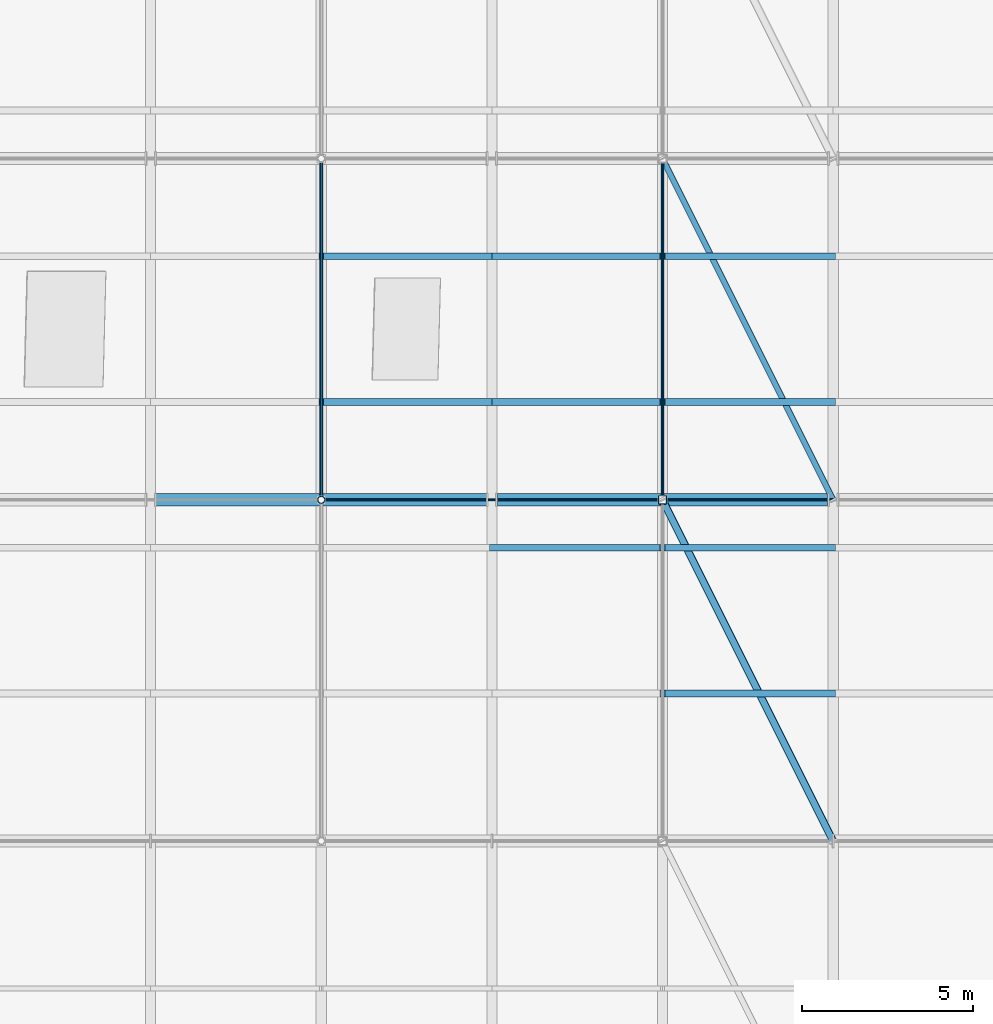
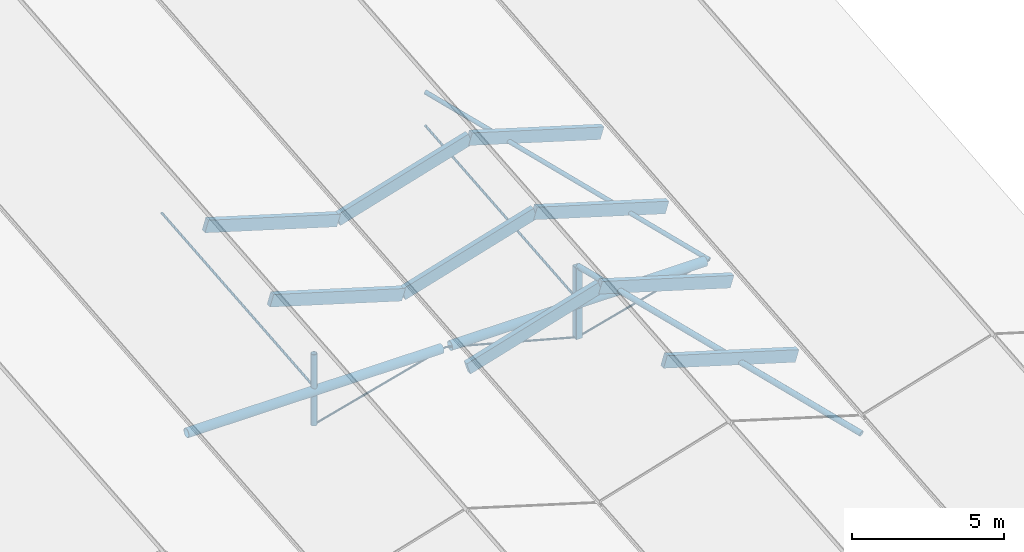
# One storey, part 34 of 90: 18 members, 2 beams.
"""IFC4 building model written with IfcOpenShell, lengths in metres."""

from ifc_helpers import new_model, si_unit, direction, frame, origin, origin_2d, place, context, subcontext, project, spatial, rectangle, hollow_rectangle, circle, hollow_circle, extrude, material, material_profile, profile_set, type_object, element, save


model = new_model("IFC4")

# Units and contexts
model_context = context("Model", 3, precision=1e-05, world=origin(), true_north=direction((0.0, 1.0)))
body_context = subcontext(model_context, "Body", "Model", "MODEL_VIEW")
ifc_project = project(units=[si_unit("LENGTHUNIT", "METRE"), si_unit("AREAUNIT", "SQUARE_METRE"), si_unit("VOLUMEUNIT", "CUBIC_METRE"), si_unit("PLANEANGLEUNIT", "RADIAN"), si_unit("MASSUNIT", "GRAM", prefix="KILO"), si_unit("THERMODYNAMICTEMPERATUREUNIT", "KELVIN"), si_unit("POWERUNIT", "WATT")], contexts=[model_context])

# Site, building, storey
site_placement = place(None, origin())
site = spatial("IfcSite", under=ifc_project, at=site_placement, CompositionType="ELEMENT")
building_placement = place(site_placement, origin())
building = spatial("IfcBuilding", under=site, at=building_placement, Name="Korenveer Ferry Terminal", CompositionType="ELEMENT")
storey_placement = place(building_placement, frame((0.0, 0.0, 22.199951171875)))
storey = spatial("IfcBuildingStorey", under=building, at=storey_placement, Name="RF", CompositionType="ELEMENT", Elevation=22.199951171875)

# Members
ifc_material_1 = material(Name="Steel S355", Category="steel")
ifc_material_profile_1 = material_profile(ifc_material_1, hollow_circle(Radius=0.084228515625, WallThickness=0.010009765625, at=origin_2d()), Name="CHS 168.3x10")
ifc_profile_set_1 = profile_set([ifc_material_profile_1], Name="Steel S355")
member_type_1 = type_object("IfcMemberType", Name="STR-BRC-CHS168", PredefinedType="BRACE", material=ifc_profile_set_1)
member_1_placement = place(storey_placement, frame((113.0, 60.0, -7.76953125), z_axis=(-0.437112017432, 0.874224034865, 0.21134195296), x_axis=(-0.894427191, -0.4472135955, 0.0)))
element("IfcMember", 1, at=member_1_placement, inside=storey, type_object=member_type_1, Name="Roof wind brace BRCRF-B5-Y60", PredefinedType="BRACE", context=body_context, shape_type="SweptSolid", body=[
    extrude(hollow_circle(Radius=0.084228515625, WallThickness=0.010009765625, at=origin_2d()), origin(), (0.0, 0.0, 1.0), 11.438720703125),
])
ifc_material_profile_2 = material_profile(ifc_material_1, hollow_circle(Radius=0.109619140625, WallThickness=0.012451171875, at=origin_2d()), Name="CHS 219.1x12.5")
ifc_profile_set_2 = profile_set([ifc_material_profile_2], Name="Steel S355")
member_type_2 = type_object("IfcMemberType", Name="STR-BRC-CHS219", PredefinedType="BRACE", material=ifc_profile_set_2)
member_2_placement = place(storey_placement, frame((113.0, 50.0, -8.677734375), z_axis=(-0.437110045644, 0.874220091289, 0.211362342872), x_axis=(-0.894427191, -0.4472135955, 0.0)))
element("IfcMember", 2, at=member_2_placement, inside=storey, type_object=member_type_2, Name="Roof wind brace BRCRF-B5-Y50", PredefinedType="BRACE", context=body_context, shape_type="SweptSolid", body=[
    extrude(hollow_circle(Radius=0.109619140625, WallThickness=0.012451171875, at=origin_2d()), origin(), (0.0, 0.0, 1.0), 11.438720703125),
])
ifc_material_2 = material(Name="High-strength steel S460", Category="steel")
ifc_material_profile_3 = material_profile(ifc_material_2, circle(Radius=0.0380859375, at=origin_2d()), Name="ROD D76")
ifc_profile_set_3 = profile_set([ifc_material_profile_3], Name="High-strength steel S460")
member_type_3 = type_object("IfcMemberType", Name="STR-CBL-D76", PredefinedType="USERDEFINED", material=ifc_profile_set_3)
for number, where, z_axis, x_axis, name in (
    (3, (103.0, 60.0, -7.76953125), (-0.965424337217, 0.0, -0.260683426993), (0.0, -1.0, 0.0), "Roof tension tie cable 38"),
    (4, (103.0, 60.0, -7.76953125), (0.965424337217, 0.0, -0.260683426993), (0.0, 1.0, 0.0), "Roof tension tie cable 39"),
    (5, (113.0, 60.0, -7.76953125), (-0.965424337217, 0.0, -0.260683426993), (0.0, -1.0, 0.0), "Roof tension tie cable 40"),
):
    element("IfcMember", number, at=place(storey_placement, frame(where, z_axis=z_axis, x_axis=x_axis)), inside=storey, type_object=member_type_3, Name=name, ObjectType="CABLE", PredefinedType="USERDEFINED", context=body_context, shape_type="SweptSolid", body=[
        extrude(circle(Radius=0.0380859375, at=origin_2d()), origin(), (0.0, 0.0, 1.0), 5.178955078125),
    ])
ifc_material_profile_4 = material_profile(ifc_material_2, circle(Radius=0.044921875, at=origin_2d()), Name="ROD D90")
ifc_profile_set_4 = profile_set([ifc_material_profile_4], Name="High-strength steel S460")
member_type_4 = type_object("IfcMemberType", Name="STR-CBL-D90", PredefinedType="USERDEFINED", material=ifc_profile_set_4)
for number, where, z_axis, x_axis, name in (
    (6, (98.0, 60.0, -7.60986328125), (0.0, 0.995903364261, 0.090423940715), (-1.0, 0.0, 0.0), "Longitudinal jaw-stay cable 120"),
    (7, (108.0, 60.0, -7.60986328125), (0.0, 0.995903364261, 0.090423940715), (-1.0, 0.0, 0.0), "Longitudinal jaw-stay cable 125"),
):
    element("IfcMember", number, at=place(storey_placement, frame(where, z_axis=z_axis, x_axis=x_axis)), inside=storey, type_object=member_type_4, Name=name, ObjectType="CABLE", PredefinedType="USERDEFINED", context=body_context, shape_type="SweptSolid", body=[
        extrude(circle(Radius=0.044921875, at=origin_2d()), origin(), (0.0, 0.0, 1.0), 10.041015625),
    ])
ifc_material_3 = material(Name="Glulam GL28h", Category="wood")
ifc_material_profile_5 = material_profile(ifc_material_3, rectangle(XDim=0.199951171875, YDim=0.47998046875, at=origin_2d()), Name="GL 200x480")
ifc_profile_set_5 = profile_set([ifc_material_profile_5], Name="Glulam GL28h")
member_type_5 = type_object("IfcMemberType", Name="STR-PUR-GL200", PredefinedType="PURLIN", material=ifc_profile_set_5)
for number, where, z_axis, x_axis, name in (
    (8, (98.0, 62.8642578125, -5.841552734375), (0.957310140112, 0.0, -0.289062788401), (0.0, 1.0, 0.0), "Folded roof glulam purlin 165"),
    (9, (98.0, 67.1357421875, -5.45361328125), (0.957310140112, 0.0, -0.289062788401), (0.0, 1.0, 0.0), "Folded roof glulam purlin 166"),
    (10, (103.0, 58.5927734375, -7.739013671875), (0.957310140112, 0.0, 0.289062788401), (0.0, 1.0, 0.0), "Folded roof glulam purlin 194"),
    (11, (103.0, 62.8642578125, -7.351318359375), (0.957310140112, 0.0, 0.289062788401), (0.0, 1.0, 0.0), "Folded roof glulam purlin 195"),
    (12, (103.0, 67.1357421875, -6.96337890625), (0.957310140112, 0.0, 0.289062788401), (0.0, 1.0, 0.0), "Folded roof glulam purlin 196"),
    (13, (108.0, 54.321533203125, -6.6171875), (0.957310140112, 0.0, -0.289062788401), (0.0, 1.0, 0.0), "Folded roof glulam purlin 199"),
    (14, (108.0, 58.5927734375, -6.229248046875), (0.957310140112, 0.0, -0.289062788401), (0.0, 1.0, 0.0), "Folded roof glulam purlin 200"),
    (15, (108.0, 62.8642578125, -5.841552734375), (0.957310140112, 0.0, -0.289062788401), (0.0, 1.0, 0.0), "Folded roof glulam purlin 201"),
    (16, (108.0, 67.1357421875, -5.45361328125), (0.957310140112, 0.0, -0.289062788401), (0.0, 1.0, 0.0), "Folded roof glulam purlin 202"),
):
    element("IfcMember", number, at=place(storey_placement, frame(where, z_axis=z_axis, x_axis=x_axis)), inside=storey, type_object=member_type_5, Name=name, PredefinedType="PURLIN", context=body_context, shape_type="SweptSolid", body=[
        extrude(rectangle(XDim=0.199951171875, YDim=0.47998046875, at=origin_2d()), origin(), (0.0, 0.0, 1.0), 5.222900390625),
    ])

# Beams
ifc_material_profile_6 = material_profile(ifc_material_1, hollow_circle(Radius=0.177734375, WallThickness=0.01611328125, at=origin_2d()), Name="CHS 355.6x16")
ifc_profile_set_6 = profile_set([ifc_material_profile_6], Name="Steel S355")
beam_type = type_object("IfcBeamType", Name="STR-RFG-CHS355", PredefinedType="USERDEFINED", material=ifc_profile_set_6)
for number, where, z_axis, x_axis, name in (
    (17, (93.159912109375, 60.0, -7.76953125), (1.0, 0.0, 0.0), (0.0, 1.0, 0.0), "Roof transverse tie girder 107"),
    (18, (103.159912109375, 60.0, -7.76953125), (1.0, 0.0, 0.0), (0.0, 1.0, 0.0), "Roof transverse tie girder 108"),
):
    element("IfcBeam", number, at=place(storey_placement, frame(where, z_axis=z_axis, x_axis=x_axis)), inside=storey, type_object=beam_type, Name=name, ObjectType="ROOF GIRDER", PredefinedType="USERDEFINED", context=body_context, shape_type="SweptSolid", body=[
        extrude(hollow_circle(Radius=0.177734375, WallThickness=0.01611328125, at=origin_2d()), origin(), (0.0, 0.0, 1.0), 9.68017578125),
    ])

# Members
ifc_material_profile_7 = material_profile(ifc_material_1, hollow_circle(Radius=0.109619140625, WallThickness=0.012451171875, at=origin_2d()), Name="CHS 219.1x12.5")
ifc_profile_set_7 = profile_set([ifc_material_profile_7], Name="Steel S355")
member_type_6 = type_object("IfcMemberType", Name="STR-STT-CHS219", PredefinedType="STRUT", material=ifc_profile_set_7)
member_3_placement = place(storey_placement, frame((98.0, 60.0, -9.11962890625), z_axis=(0.0, 0.0, 1.0), x_axis=(1.0, 0.0, 0.0)))
element("IfcMember", 19, at=member_3_placement, inside=storey, type_object=member_type_6, Name="Roof king-post strut STTKP-Y60-B4", PredefinedType="STRUT", context=body_context, shape_type="SweptSolid", body=[
    extrude(hollow_circle(Radius=0.109619140625, WallThickness=0.012451171875, at=origin_2d()), origin(), (0.0, 0.0, 1.0), 2.859619140625),
])
ifc_material_profile_8 = material_profile(ifc_material_1, hollow_rectangle(XDim=0.25, YDim=0.25, WallThickness=0.012451171875, InnerFilletRadius=0.012451171875, OuterFilletRadius=0.018798828125, at=origin_2d()), Name="SHS 250x250x12.5")
ifc_profile_set_8 = profile_set([ifc_material_profile_8], Name="Steel S355")
member_type_7 = type_object("IfcMemberType", Name="STR-STT-SHS250", PredefinedType="STRUT", material=ifc_profile_set_8)
member_4_placement = place(storey_placement, frame((108.0, 60.0, -9.11962890625), z_axis=(0.0, 0.0, 1.0), x_axis=(1.0, 0.0, 0.0)))
element("IfcMember", 20, at=member_4_placement, inside=storey, type_object=member_type_7, Name="Roof king-post strut STTKP-Y60-B5", PredefinedType="STRUT", context=body_context, shape_type="SweptSolid", body=[
    extrude(hollow_rectangle(XDim=0.25, YDim=0.25, WallThickness=0.012451171875, InnerFilletRadius=0.012451171875, OuterFilletRadius=0.018798828125, at=origin_2d()), origin(), (0.0, 0.0, 1.0), 2.859619140625),
])

save(model, "model.ifc")
